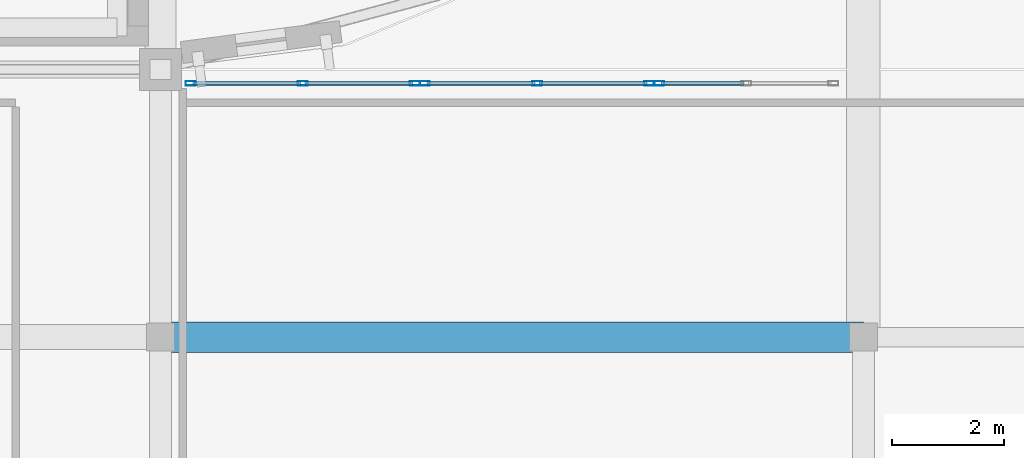
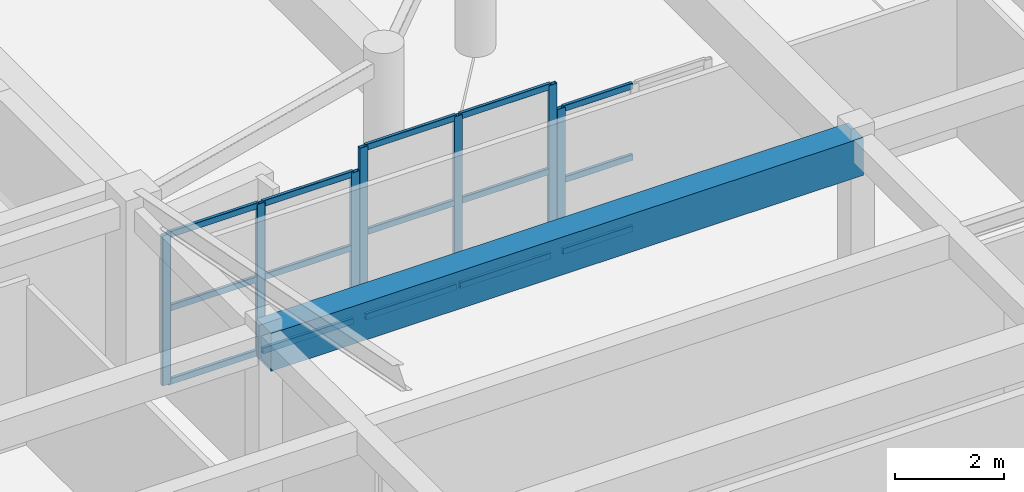
# One storey, part 43 of 91: 22 members, 1 beam, 3 elements without a shape of their own.
"""IFC4 building model written with IfcOpenShell, lengths in metres."""

from ifc_helpers import new_model, si_unit, direction, frame, origin, origin_2d, place, context, subcontext, project, spatial, rectangle, hollow_rectangle, extrude, material, layer, layer_set, material_profile, profile_set, type_object, element, aggregate, save


model = new_model("IFC4")

# Units and contexts
model_context = context("Model", 3, precision=1e-05, world=origin(), true_north=direction((0.0, 1.0)))
body_context = subcontext(model_context, "Body", "Model", "MODEL_VIEW")
ifc_project = project(units=[si_unit("LENGTHUNIT", "METRE"), si_unit("AREAUNIT", "SQUARE_METRE"), si_unit("VOLUMEUNIT", "CUBIC_METRE"), si_unit("PLANEANGLEUNIT", "RADIAN"), si_unit("MASSUNIT", "GRAM", prefix="KILO")], contexts=[model_context])

# Site, building, storey
site_placement = place(None, origin())
site = spatial("IfcSite", under=ifc_project, at=site_placement, CompositionType="ELEMENT")
building_placement = place(site_placement, origin())
building = spatial("IfcBuilding", under=site, at=building_placement, Name="Tarnavel Promenade Courthouse", CompositionType="ELEMENT")
storey_placement = place(building_placement, frame((0.0, 0.0, 9.89990234375)))
storey = spatial("IfcBuildingStorey", under=building, at=storey_placement, Name="L03", CompositionType="ELEMENT", Elevation=9.89990234375)

# Beam
ifc_material_1 = material(Name="Concrete C40/50", Category="concrete")
ifc_material_profile_1 = material_profile(ifc_material_1, rectangle(XDim=0.550048828125, YDim=0.85009765625, at=origin_2d()), Name="PT 550x850")
ifc_profile_set_1 = profile_set([ifc_material_profile_1], Name="Concrete C40/50")
beam_type = type_object("IfcBeamType", Name="Concrete C40/50 BM-PT-550x850 (PT 550x850)", PredefinedType="T_BEAM", material=ifc_profile_set_1)
beam_placement = place(storey_placement, frame((102.0, 74.39990234375, 3.820068359375), z_axis=(1.0, 0.0, 0.0), x_axis=(0.0, 1.0, 0.0)))
element("IfcBeam", 1, at=beam_placement, inside=storey, type_object=beam_type, Name="L03 Primary Longitudinal Beam 1622", PredefinedType="T_BEAM", context=body_context, shape_type="SweptSolid", body=[
    extrude(rectangle(XDim=0.550048828125, YDim=0.85009765625, at=origin_2d()), origin(), (0.0, 0.0, 1.0), 12.60009765625),
])

# Curtain wall, members
ifc_material_2 = material(Name="Thermally Broken Anodised Aluminium Curtain Wall System", Category="aluminium")
ifc_layer = layer(ifc_material_2, 0.2099609375)
ifc_layer_set = layer_set([ifc_layer], Name="Thermally Broken Anodised Aluminium Curtain Wall System")
curtain_wall_type = type_object("IfcCurtainWallType", Name="Thermally Broken Aluminium Triple-Glazed Curtain Wall CW-WG-N", PredefinedType="NOTDEFINED", material=ifc_layer_set)
curtain_wall_1_placement = place(storey_placement, origin())
curtain_wall_1 = element("IfcCurtainWall", 2, at=curtain_wall_1_placement, inside=storey, type_object=curtain_wall_type, Name="L03 Winter-Garden North Curtain Wall 117", PredefinedType="NOTDEFINED")
ifc_material_3 = material(Name="Thermally Broken Anodised Aluminium Frame", Category="aluminium")
ifc_material_profile_2 = material_profile(ifc_material_3, hollow_rectangle(XDim=0.080078125, YDim=0.179931640625, WallThickness=0.0048828125, InnerFilletRadius=0.0048828125, OuterFilletRadius=0.010009765625, at=origin_2d()), Name="CWM 180x80x5")
ifc_profile_set_2 = profile_set([ifc_material_profile_2], Name="Thermally Broken Anodised Aluminium Frame")
member_type_1 = type_object("IfcMemberType", Name="Thermally Broken Anodised Aluminium CWM-155 (CWM 180x80x5)", PredefinedType="MULLION", material=ifc_profile_set_2)
member_1_placement = place(storey_placement, frame((102.5400390625, 78.949951171875, 0.0), z_axis=(0.0, 0.0, 1.0), x_axis=(0.0, 1.0, 0.0)))
member_1 = element("IfcMember", 3, at=member_1_placement, type_object=member_type_1, Name="CW-03 mullion 1", PredefinedType="MULLION", context=body_context, shape_type="SweptSolid", body=[
    extrude(hollow_rectangle(XDim=0.080078125, YDim=0.179931640625, WallThickness=0.0048828125, InnerFilletRadius=0.0048828125, OuterFilletRadius=0.010009765625, at=origin_2d()), origin(), (0.0, 0.0, 1.0), 3.380126953125),
])
member_2_placement = place(storey_placement, frame((104.550048828125, 78.949951171875, 0.0), z_axis=(0.0, 0.0, 1.0), x_axis=(0.0, 1.0, 0.0)))
member_2 = element("IfcMember", 4, at=member_2_placement, type_object=member_type_1, Name="CW-03 mullion 2", PredefinedType="MULLION", context=body_context, shape_type="SweptSolid", body=[
    extrude(hollow_rectangle(XDim=0.080078125, YDim=0.179931640625, WallThickness=0.0048828125, InnerFilletRadius=0.0048828125, OuterFilletRadius=0.010009765625, at=origin_2d()), origin(), (0.0, 0.0, 1.0), 3.380126953125),
])
member_3_placement = place(storey_placement, frame((106.56005859375, 78.949951171875, 0.0), z_axis=(0.0, 0.0, 1.0), x_axis=(0.0, 1.0, 0.0)))
member_3 = element("IfcMember", 5, at=member_3_placement, type_object=member_type_1, Name="CW-03 mullion 3", PredefinedType="MULLION", context=body_context, shape_type="SweptSolid", body=[
    extrude(hollow_rectangle(XDim=0.080078125, YDim=0.179931640625, WallThickness=0.0048828125, InnerFilletRadius=0.0048828125, OuterFilletRadius=0.010009765625, at=origin_2d()), origin(), (0.0, 0.0, 1.0), 3.380126953125),
])

curtain_wall_2_placement = place(storey_placement, origin())
curtain_wall_2 = element("IfcCurtainWall", 6, at=curtain_wall_2_placement, inside=storey, type_object=curtain_wall_type, Name="L03 Winter-Garden North Curtain Wall 118", PredefinedType="NOTDEFINED")
member_4_placement = place(storey_placement, frame((106.739990234375, 78.949951171875, 0.0), z_axis=(0.0, 0.0, 1.0), x_axis=(0.0, 1.0, 0.0)))
member_4 = element("IfcMember", 7, at=member_4_placement, type_object=member_type_1, Name="CW-03 mullion 1", PredefinedType="MULLION", context=body_context, shape_type="SweptSolid", body=[
    extrude(hollow_rectangle(XDim=0.080078125, YDim=0.179931640625, WallThickness=0.0048828125, InnerFilletRadius=0.0048828125, OuterFilletRadius=0.010009765625, at=origin_2d()), origin(), (0.0, 0.0, 1.0), 3.880126953125),
])
member_5_placement = place(storey_placement, frame((108.75, 78.949951171875, 0.0), z_axis=(0.0, 0.0, 1.0), x_axis=(0.0, 1.0, 0.0)))
member_5 = element("IfcMember", 8, at=member_5_placement, type_object=member_type_1, Name="CW-03 mullion 2", PredefinedType="MULLION", context=body_context, shape_type="SweptSolid", body=[
    extrude(hollow_rectangle(XDim=0.080078125, YDim=0.179931640625, WallThickness=0.0048828125, InnerFilletRadius=0.0048828125, OuterFilletRadius=0.010009765625, at=origin_2d()), origin(), (0.0, 0.0, 1.0), 3.880126953125),
])
member_6_placement = place(storey_placement, frame((110.760009765625, 78.949951171875, 0.0), z_axis=(0.0, 0.0, 1.0), x_axis=(0.0, 1.0, 0.0)))
member_6 = element("IfcMember", 9, at=member_6_placement, type_object=member_type_1, Name="CW-03 mullion 3", PredefinedType="MULLION", context=body_context, shape_type="SweptSolid", body=[
    extrude(hollow_rectangle(XDim=0.080078125, YDim=0.179931640625, WallThickness=0.0048828125, InnerFilletRadius=0.0048828125, OuterFilletRadius=0.010009765625, at=origin_2d()), origin(), (0.0, 0.0, 1.0), 3.880126953125),
])

# Curtain wall, member
curtain_wall_3_placement = place(storey_placement, origin())
curtain_wall_3 = element("IfcCurtainWall", 10, at=curtain_wall_3_placement, inside=storey, type_object=curtain_wall_type, Name="L03 Winter-Garden North Curtain Wall 119", PredefinedType="NOTDEFINED")
member_7_placement = place(storey_placement, frame((110.93994140625, 78.949951171875, 0.0), z_axis=(0.0, 0.0, 1.0), x_axis=(0.0, 1.0, 0.0)))
member_7 = element("IfcMember", 11, at=member_7_placement, type_object=member_type_1, Name="CW-03 mullion 1", PredefinedType="MULLION", context=body_context, shape_type="SweptSolid", body=[
    extrude(hollow_rectangle(XDim=0.080078125, YDim=0.179931640625, WallThickness=0.0048828125, InnerFilletRadius=0.0048828125, OuterFilletRadius=0.010009765625, at=origin_2d()), origin(), (0.0, 0.0, 1.0), 3.280029296875),
])

# Member
ifc_material_profile_3 = material_profile(ifc_material_3, hollow_rectangle(XDim=0.070068359375, YDim=0.139892578125, WallThickness=0.0048828125, InnerFilletRadius=0.0048828125, OuterFilletRadius=0.010009765625, at=origin_2d()), Name="CWT 140x70x5")
ifc_profile_set_3 = profile_set([ifc_material_profile_3], Name="Thermally Broken Anodised Aluminium Frame")
member_type_2 = type_object("IfcMemberType", Name="Thermally Broken Anodised Aluminium CWT-125 (CWT 140x70x5)", PredefinedType="USERDEFINED", material=ifc_profile_set_3)
member_8_placement = place(storey_placement, frame((102.580078125, 78.949951171875, 0.03515625), z_axis=(1.0, 0.0, 0.0), x_axis=(0.0, 1.0, 0.0)))
member_8 = element("IfcMember", 12, at=member_8_placement, type_object=member_type_2, Name="CW-03 transom 1.1", ObjectType="TRANSOM", PredefinedType="USERDEFINED", context=body_context, shape_type="SweptSolid", body=[
    extrude(hollow_rectangle(XDim=0.070068359375, YDim=0.139892578125, WallThickness=0.0048828125, InnerFilletRadius=0.0048828125, OuterFilletRadius=0.010009765625, at=origin_2d()), origin(), (0.0, 0.0, 1.0), 1.929931640625),
])

member_9_placement = place(storey_placement, frame((102.580078125, 78.949951171875, 1.690185546875), z_axis=(1.0, 0.0, 0.0), x_axis=(0.0, 1.0, 0.0)))
member_9 = element("IfcMember", 13, at=member_9_placement, type_object=member_type_2, Name="CW-03 transom 1.2", ObjectType="TRANSOM", PredefinedType="USERDEFINED", context=body_context, shape_type="SweptSolid", body=[
    extrude(hollow_rectangle(XDim=0.070068359375, YDim=0.139892578125, WallThickness=0.0048828125, InnerFilletRadius=0.0048828125, OuterFilletRadius=0.010009765625, at=origin_2d()), origin(), (0.0, 0.0, 1.0), 1.929931640625),
])

member_10_placement = place(storey_placement, frame((102.580078125, 78.949951171875, 3.34521484375), z_axis=(1.0, 0.0, 0.0), x_axis=(0.0, 1.0, 0.0)))
member_10 = element("IfcMember", 14, at=member_10_placement, type_object=member_type_2, Name="CW-03 transom 1.3", ObjectType="TRANSOM", PredefinedType="USERDEFINED", context=body_context, shape_type="SweptSolid", body=[
    extrude(hollow_rectangle(XDim=0.070068359375, YDim=0.139892578125, WallThickness=0.0048828125, InnerFilletRadius=0.0048828125, OuterFilletRadius=0.010009765625, at=origin_2d()), origin(), (0.0, 0.0, 1.0), 1.929931640625),
])

member_11_placement = place(storey_placement, frame((104.590087890625, 78.949951171875, 0.03515625), z_axis=(1.0, 0.0, 0.0), x_axis=(0.0, 1.0, 0.0)))
member_11 = element("IfcMember", 15, at=member_11_placement, type_object=member_type_2, Name="CW-03 transom 2.1", ObjectType="TRANSOM", PredefinedType="USERDEFINED", context=body_context, shape_type="SweptSolid", body=[
    extrude(hollow_rectangle(XDim=0.070068359375, YDim=0.139892578125, WallThickness=0.0048828125, InnerFilletRadius=0.0048828125, OuterFilletRadius=0.010009765625, at=origin_2d()), origin(), (0.0, 0.0, 1.0), 1.929931640625),
])

member_12_placement = place(storey_placement, frame((104.590087890625, 78.949951171875, 1.690185546875), z_axis=(1.0, 0.0, 0.0), x_axis=(0.0, 1.0, 0.0)))
member_12 = element("IfcMember", 16, at=member_12_placement, type_object=member_type_2, Name="CW-03 transom 2.2", ObjectType="TRANSOM", PredefinedType="USERDEFINED", context=body_context, shape_type="SweptSolid", body=[
    extrude(hollow_rectangle(XDim=0.070068359375, YDim=0.139892578125, WallThickness=0.0048828125, InnerFilletRadius=0.0048828125, OuterFilletRadius=0.010009765625, at=origin_2d()), origin(), (0.0, 0.0, 1.0), 1.929931640625),
])

member_13_placement = place(storey_placement, frame((104.590087890625, 78.949951171875, 3.34521484375), z_axis=(1.0, 0.0, 0.0), x_axis=(0.0, 1.0, 0.0)))
member_13 = element("IfcMember", 17, at=member_13_placement, type_object=member_type_2, Name="CW-03 transom 2.3", ObjectType="TRANSOM", PredefinedType="USERDEFINED", context=body_context, shape_type="SweptSolid", body=[
    extrude(hollow_rectangle(XDim=0.070068359375, YDim=0.139892578125, WallThickness=0.0048828125, InnerFilletRadius=0.0048828125, OuterFilletRadius=0.010009765625, at=origin_2d()), origin(), (0.0, 0.0, 1.0), 1.929931640625),
])

aggregate(curtain_wall_1, [member_1, member_2, member_3, member_8, member_9, member_10, member_11, member_12, member_13])

member_14_placement = place(storey_placement, frame((106.780029296875, 78.949951171875, 0.03515625), z_axis=(1.0, 0.0, 0.0), x_axis=(0.0, 1.0, 0.0)))
member_14 = element("IfcMember", 18, at=member_14_placement, type_object=member_type_2, Name="CW-03 transom 1.1", ObjectType="TRANSOM", PredefinedType="USERDEFINED", context=body_context, shape_type="SweptSolid", body=[
    extrude(hollow_rectangle(XDim=0.070068359375, YDim=0.139892578125, WallThickness=0.0048828125, InnerFilletRadius=0.0048828125, OuterFilletRadius=0.010009765625, at=origin_2d()), origin(), (0.0, 0.0, 1.0), 1.929931640625),
])

member_15_placement = place(storey_placement, frame((106.780029296875, 78.949951171875, 1.940185546875), z_axis=(1.0, 0.0, 0.0), x_axis=(0.0, 1.0, 0.0)))
member_15 = element("IfcMember", 19, at=member_15_placement, type_object=member_type_2, Name="CW-03 transom 1.2", ObjectType="TRANSOM", PredefinedType="USERDEFINED", context=body_context, shape_type="SweptSolid", body=[
    extrude(hollow_rectangle(XDim=0.070068359375, YDim=0.139892578125, WallThickness=0.0048828125, InnerFilletRadius=0.0048828125, OuterFilletRadius=0.010009765625, at=origin_2d()), origin(), (0.0, 0.0, 1.0), 1.929931640625),
])

member_16_placement = place(storey_placement, frame((106.780029296875, 78.949951171875, 3.84521484375), z_axis=(1.0, 0.0, 0.0), x_axis=(0.0, 1.0, 0.0)))
member_16 = element("IfcMember", 20, at=member_16_placement, type_object=member_type_2, Name="CW-03 transom 1.3", ObjectType="TRANSOM", PredefinedType="USERDEFINED", context=body_context, shape_type="SweptSolid", body=[
    extrude(hollow_rectangle(XDim=0.070068359375, YDim=0.139892578125, WallThickness=0.0048828125, InnerFilletRadius=0.0048828125, OuterFilletRadius=0.010009765625, at=origin_2d()), origin(), (0.0, 0.0, 1.0), 1.929931640625),
])

member_17_placement = place(storey_placement, frame((108.7900390625, 78.949951171875, 0.03515625), z_axis=(1.0, 0.0, 0.0), x_axis=(0.0, 1.0, 0.0)))
member_17 = element("IfcMember", 21, at=member_17_placement, type_object=member_type_2, Name="CW-03 transom 2.1", ObjectType="TRANSOM", PredefinedType="USERDEFINED", context=body_context, shape_type="SweptSolid", body=[
    extrude(hollow_rectangle(XDim=0.070068359375, YDim=0.139892578125, WallThickness=0.0048828125, InnerFilletRadius=0.0048828125, OuterFilletRadius=0.010009765625, at=origin_2d()), origin(), (0.0, 0.0, 1.0), 1.929931640625),
])

member_18_placement = place(storey_placement, frame((108.7900390625, 78.949951171875, 1.940185546875), z_axis=(1.0, 0.0, 0.0), x_axis=(0.0, 1.0, 0.0)))
member_18 = element("IfcMember", 22, at=member_18_placement, type_object=member_type_2, Name="CW-03 transom 2.2", ObjectType="TRANSOM", PredefinedType="USERDEFINED", context=body_context, shape_type="SweptSolid", body=[
    extrude(hollow_rectangle(XDim=0.070068359375, YDim=0.139892578125, WallThickness=0.0048828125, InnerFilletRadius=0.0048828125, OuterFilletRadius=0.010009765625, at=origin_2d()), origin(), (0.0, 0.0, 1.0), 1.929931640625),
])

member_19_placement = place(storey_placement, frame((108.7900390625, 78.949951171875, 3.84521484375), z_axis=(1.0, 0.0, 0.0), x_axis=(0.0, 1.0, 0.0)))
member_19 = element("IfcMember", 23, at=member_19_placement, type_object=member_type_2, Name="CW-03 transom 2.3", ObjectType="TRANSOM", PredefinedType="USERDEFINED", context=body_context, shape_type="SweptSolid", body=[
    extrude(hollow_rectangle(XDim=0.070068359375, YDim=0.139892578125, WallThickness=0.0048828125, InnerFilletRadius=0.0048828125, OuterFilletRadius=0.010009765625, at=origin_2d()), origin(), (0.0, 0.0, 1.0), 1.929931640625),
])

aggregate(curtain_wall_2, [member_4, member_5, member_6, member_14, member_15, member_16, member_17, member_18, member_19])

member_20_placement = place(storey_placement, frame((110.97998046875, 78.949951171875, 0.03515625), z_axis=(1.0, 0.0, 0.0), x_axis=(0.0, 1.0, 0.0)))
member_20 = element("IfcMember", 24, at=member_20_placement, type_object=member_type_2, Name="CW-03 transom 1.1", ObjectType="TRANSOM", PredefinedType="USERDEFINED", context=body_context, shape_type="SweptSolid", body=[
    extrude(hollow_rectangle(XDim=0.070068359375, YDim=0.139892578125, WallThickness=0.0048828125, InnerFilletRadius=0.0048828125, OuterFilletRadius=0.010009765625, at=origin_2d()), origin(), (0.0, 0.0, 1.0), 1.47998046875),
])

member_21_placement = place(storey_placement, frame((110.97998046875, 78.949951171875, 1.64013671875), z_axis=(1.0, 0.0, 0.0), x_axis=(0.0, 1.0, 0.0)))
member_21 = element("IfcMember", 25, at=member_21_placement, type_object=member_type_2, Name="CW-03 transom 1.2", ObjectType="TRANSOM", PredefinedType="USERDEFINED", context=body_context, shape_type="SweptSolid", body=[
    extrude(hollow_rectangle(XDim=0.070068359375, YDim=0.139892578125, WallThickness=0.0048828125, InnerFilletRadius=0.0048828125, OuterFilletRadius=0.010009765625, at=origin_2d()), origin(), (0.0, 0.0, 1.0), 1.47998046875),
])

member_22_placement = place(storey_placement, frame((110.97998046875, 78.949951171875, 3.2451171875), z_axis=(1.0, 0.0, 0.0), x_axis=(0.0, 1.0, 0.0)))
member_22 = element("IfcMember", 26, at=member_22_placement, type_object=member_type_2, Name="CW-03 transom 1.3", ObjectType="TRANSOM", PredefinedType="USERDEFINED", context=body_context, shape_type="SweptSolid", body=[
    extrude(hollow_rectangle(XDim=0.070068359375, YDim=0.139892578125, WallThickness=0.0048828125, InnerFilletRadius=0.0048828125, OuterFilletRadius=0.010009765625, at=origin_2d()), origin(), (0.0, 0.0, 1.0), 1.47998046875),
])

aggregate(curtain_wall_3, [member_7, member_20, member_21, member_22])

save(model, "model.ifc")
